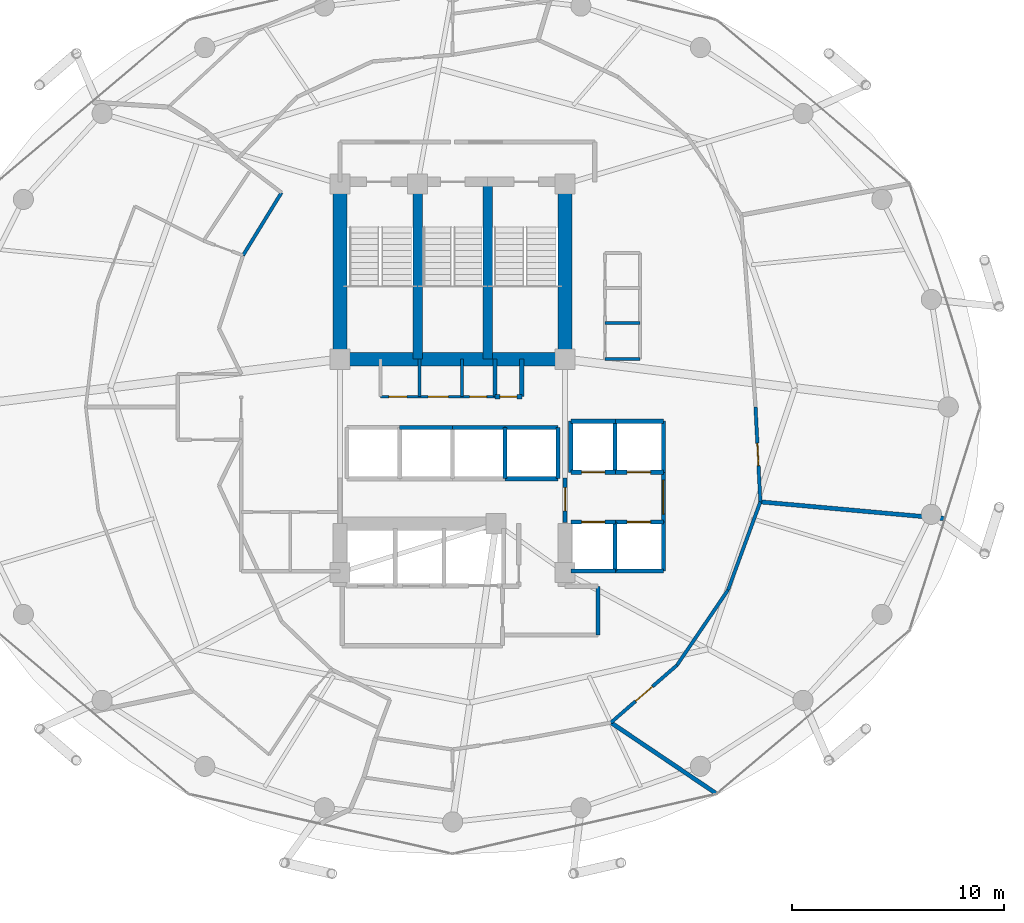
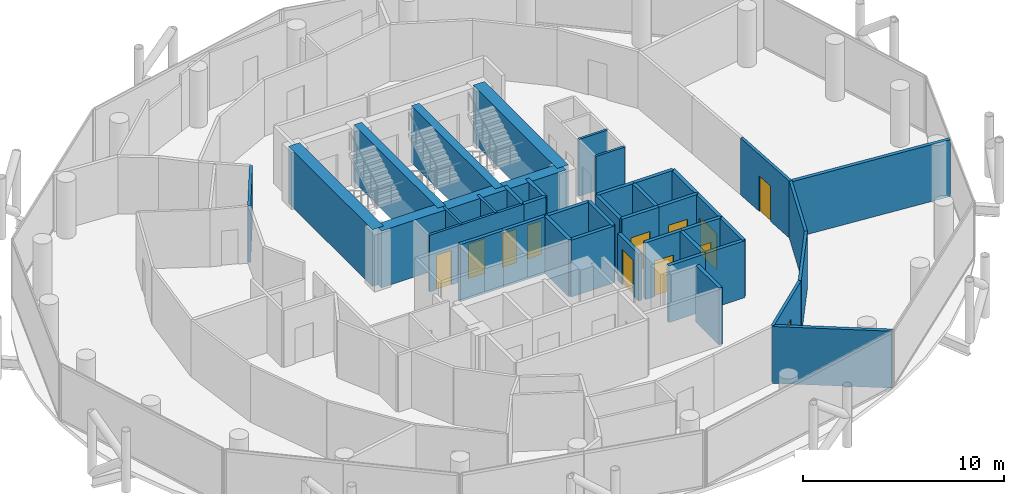
# One storey, part 23 of 26: 42 walls, 12 doors, 12 openings.
"""IFC4 building model written with IfcOpenShell, lengths in metres."""

from ifc_helpers import new_model, si_unit, direction, frame, frame_2d, origin, place, context, subcontext, project, spatial, rectangle, extrude, material, layer, layer_set, type_object, element, fill, save


model = new_model("IFC4")

# Units and contexts
model_context = context("Model", 3, precision=1e-05, world=origin(), true_north=direction((0.0, 1.0)))
body_context = subcontext(model_context, "Body", "Model", "MODEL_VIEW")
ifc_project = project(units=[si_unit("LENGTHUNIT", "METRE"), si_unit("AREAUNIT", "SQUARE_METRE"), si_unit("VOLUMEUNIT", "CUBIC_METRE"), si_unit("PLANEANGLEUNIT", "RADIAN"), si_unit("MASSUNIT", "GRAM", prefix="KILO")], contexts=[model_context])

# Site, building, storey
site_placement = place(None, origin())
site = spatial("IfcSite", under=ifc_project, at=site_placement, CompositionType="ELEMENT")
building_placement = place(site_placement, origin())
building = spatial("IfcBuilding", under=site, at=building_placement, Name="Nuhasar Tower", CompositionType="ELEMENT")
storey_placement = place(building_placement, frame((0.0, 0.0, 166.35009765625)))
storey = spatial("IfcBuildingStorey", under=building, at=storey_placement, Name="L40", CompositionType="ELEMENT", Elevation=166.35009765625)

# Walls
ifc_material_1 = material(Name="Concrete C50/60", Category="concrete")
ifc_layer_1 = layer(ifc_material_1, 0.449951171875)
ifc_layer_set_1 = layer_set([ifc_layer_1], Name="Concrete C50/60")
wall_type_1 = type_object("IfcWallType", Name="WL-CORE-450", PredefinedType="SHEAR", material=ifc_layer_set_1)
for number, where, z_axis, x_axis, name in (
    (1, (37.35009765625, 29.050048828125, 0.0), (0.0, 0.0, 1.0), (0.0, 1.0, 0.0), "L40 Stairwell Shear Wall ST01-E"),
    (2, (40.64990234375, 29.050048828125, 0.0), (0.0, 0.0, 1.0), (0.0, 1.0, 0.0), "L40 Stairwell Shear Wall ST03-E"),
):
    element("IfcWall", number, at=place(storey_placement, frame(where, z_axis=z_axis, x_axis=x_axis)), inside=storey, type_object=wall_type_1, Name=name, PredefinedType="SHEAR", context=body_context, shape_type="SweptSolid", body=[
        extrude(rectangle(XDim=8.349853515625, YDim=0.449951171875, at=frame_2d((4.1748046875, 0.0))), origin(), (0.0, 0.0, 1.0), 3.449951171875),
    ])
ifc_material_2 = material(Name="Concrete C65/80", Category="concrete")
ifc_layer_2 = layer(ifc_material_2, 0.64990234375)
ifc_layer_set_2 = layer_set([ifc_layer_2], Name="Concrete C65/80")
wall_type_2 = type_object("IfcWallType", Name="WL-CORE-650", PredefinedType="SHEAR", material=ifc_layer_set_2)
for number, where, z_axis, x_axis, name in (
    (3, (33.699951171875, 29.050048828125, 0.0), (0.0, 0.0, 1.0), (0.0, 1.0, 0.0), "L40 Core Shear Wall CW-NW CW-650"),
    (4, (44.300048828125, 29.050048828125, 0.0), (0.0, 0.0, 1.0), (0.0, 1.0, 0.0), "L40 Core Shear Wall CW-NE CW-650"),
):
    element("IfcWall", number, at=place(storey_placement, frame(where, z_axis=z_axis, x_axis=x_axis)), inside=storey, type_object=wall_type_2, Name=name, PredefinedType="SHEAR", context=body_context, shape_type="SweptSolid", body=[
        extrude(rectangle(XDim=8.349853515625, YDim=0.64990234375, at=frame_2d((4.1748046875, 0.0))), origin(), (0.0, 0.0, 1.0), 3.449951171875),
    ])
wall_1_placement = place(storey_placement, frame((33.699951171875, 29.050048828125, 0.0), z_axis=(0.0, 0.0, 1.0), x_axis=(1.0, 0.0, 0.0)))
element("IfcWall", 5, at=wall_1_placement, inside=storey, type_object=wall_type_2, Name="L40 Core Shear Wall CW-N1 CW-650", PredefinedType="SHEAR", context=body_context, shape_type="SweptSolid", body=[
    extrude(rectangle(XDim=10.60009765625, YDim=0.64990234375, at=frame_2d((5.300048828125, 0.0))), origin(), (0.0, 0.0, 1.0), 3.449951171875),
])

# Wall, opening, door
ifc_material_3 = material(Name="Gypsum Board", Category="gypsum")
ifc_layer_3 = layer(ifc_material_3, 0.159912109375)
ifc_layer_set_3 = layer_set([ifc_layer_3], Name="Gypsum Board")
wall_type_3 = type_object("IfcWallType", Name="WL-CORR-160", PredefinedType="PARTITIONING", material=ifc_layer_set_3)
wall_2_placement = place(storey_placement, frame((49.570068359375, 14.632080078125, 0.0), z_axis=(0.0, 0.0, 1.0), x_axis=(-0.754850245374, -0.6558971772, 0.0)))
wall_2 = element("IfcWall", 6, at=wall_2_placement, inside=storey, type_object=wall_type_3, Name="L40 Interior Partition CORR-40", PredefinedType="PARTITIONING", context=body_context, shape_type="SweptSolid", body=[
    extrude(rectangle(XDim=4.122802734375, YDim=0.159912109375, at=frame_2d((2.0615234375, 0.0))), origin(), (0.0, 0.0, 1.0), 3.449951171875),
])
opening_1_placement = place(wall_2_placement, frame((1.535888671875, 0.0, 0.0)))
opening_1 = element("IfcOpeningElement", 7, at=opening_1_placement, cuts=wall_2, Name="Opening DU-01", PredefinedType="OPENING", context=body_context, shape_type="SweptSolid", body=[
    extrude(rectangle(XDim=1.050048828125, YDim=2.14990234375, at=frame_2d((0.52490234375, 1.074951171875))), frame((0.0, 0.08984375, 0.0), z_axis=(0.0, -1.0, 0.0), x_axis=(1.0, 0.0, 0.0)), (0.0, 0.0, 1.0), 0.179931640625),
])
ifc_material_4 = material(Name="Timber Oak", Category="wood")
door_type_1 = type_object("IfcDoorType", Name="DR-SUITE-FD60-1050", OperationType="NOTDEFINED", PredefinedType="DOOR", material=ifc_material_4)
door_1_placement = place(opening_1_placement, origin())
door_1 = element("IfcDoor", 8, at=door_1_placement, inside=storey, type_object=door_type_1, Name="L40 Embassy Secretariat Office Entrance Door", OperationType="SINGLE_SWING_LEFT", OverallHeight=2.14990234375, OverallWidth=1.050048828125, PredefinedType="DOOR", context=body_context, shape_type="SweptSolid", body=[
    extrude(rectangle(XDim=1.050048828125, YDim=2.14990234375, at=frame_2d((0.52490234375, 1.074951171875))), frame((0.0, 0.02490234375, 0.0), z_axis=(0.0, -1.0, 0.0), x_axis=(1.0, 0.0, 0.0)), (0.0, 0.0, 1.0), 0.050048828125),
])
fill(opening_1, door_1)

# Walls
wall_3_placement = place(storey_placement, frame((49.570068359375, 14.632080078125, 0.0), z_axis=(0.0, 0.0, 1.0), x_axis=(0.561534872814, 0.827453072152, 0.0)))
element("IfcWall", 9, at=wall_3_placement, inside=storey, type_object=wall_type_3, Name="L40 Interior Partition CORR-42", PredefinedType="PARTITIONING", context=body_context, shape_type="SweptSolid", body=[
    extrude(rectangle(XDim=4.282958984375, YDim=0.159912109375, at=frame_2d((2.1416015625, 0.0))), origin(), (0.0, 0.0, 1.0), 3.449951171875),
])
wall_4_placement = place(storey_placement, frame((51.97509765625, 18.176025390625, 0.0), z_axis=(0.0, 0.0, 1.0), x_axis=(0.344374682777, 0.938832294855, 0.0)))
element("IfcWall", 10, at=wall_4_placement, inside=storey, type_object=wall_type_3, Name="L40 Interior Partition CORR-44", PredefinedType="PARTITIONING", context=body_context, shape_type="SweptSolid", body=[
    extrude(rectangle(XDim=4.42236328125, YDim=0.159912109375, at=frame_2d((2.211181640625, 0.0))), origin(), (0.0, 0.0, 1.0), 3.449951171875),
])

# Wall, opening, door
wall_5_placement = place(storey_placement, frame((53.27001953125, 26.800048828125, 0.0), z_axis=(0.0, 0.0, 1.0), x_axis=(0.050921949012, -0.998702635978, 0.0)))
wall_5 = element("IfcWall", 11, at=wall_5_placement, inside=storey, type_object=wall_type_3, Name="L40 Interior Partition CORR-46", PredefinedType="PARTITIONING", context=body_context, shape_type="SweptSolid", body=[
    extrude(rectangle(XDim=4.47802734375, YDim=0.159912109375, at=frame_2d((2.239013671875, 0.0))), origin(), (0.0, 0.0, 1.0), 3.449951171875),
])
opening_2_placement = place(wall_5_placement, frame((1.714111328125, 0.0, 0.0)))
opening_2 = element("IfcOpeningElement", 12, at=opening_2_placement, cuts=wall_5, Name="Opening DU-01", PredefinedType="OPENING", context=body_context, shape_type="SweptSolid", body=[
    extrude(rectangle(XDim=1.050048828125, YDim=2.14990234375, at=frame_2d((0.52490234375, 1.074951171875))), frame((0.0, 0.08984375, 0.0), z_axis=(0.0, -1.0, 0.0), x_axis=(1.0, 0.0, 0.0)), (0.0, 0.0, 1.0), 0.179931640625),
])
door_2_placement = place(opening_2_placement, origin())
door_2 = element("IfcDoor", 13, at=door_2_placement, inside=storey, type_object=door_type_1, Name="L40 Private Screening Cinema Entrance Door", OperationType="SINGLE_SWING_RIGHT", OverallHeight=2.14990234375, OverallWidth=1.050048828125, PredefinedType="DOOR", context=body_context, shape_type="SweptSolid", body=[
    extrude(rectangle(XDim=1.050048828125, YDim=2.14990234375, at=frame_2d((0.52490234375, 1.074951171875))), frame((0.0, 0.02490234375, 0.0), z_axis=(0.0, -1.0, 0.0), x_axis=(1.0, 0.0, 0.0)), (0.0, 0.0, 1.0), 0.050048828125),
])
fill(opening_2, door_2)

# Wall
wall_6_placement = place(storey_placement, frame((30.93896484375, 36.89697265625, 0.0), z_axis=(0.0, 0.0, 1.0), x_axis=(-0.522486120877, -0.852647789823, 0.0)))
element("IfcWall", 14, at=wall_6_placement, inside=storey, type_object=wall_type_3, Name="L40 Interior Partition HWEST-CORE-N-18", PredefinedType="PARTITIONING", context=body_context, shape_type="SweptSolid", body=[
    extrude(rectangle(XDim=3.468017578125, YDim=0.159912109375, at=frame_2d((1.73388671875, 0.0))), origin(), (0.0, 0.0, 1.0), 3.449951171875),
])

# Wall, opening, door
ifc_material_5 = material(Name="Concrete C45/55", Category="concrete")
ifc_layer_4 = layer(ifc_material_5, 0.199951171875)
ifc_layer_set_4 = layer_set([ifc_layer_4], Name="Concrete C45/55")
wall_type_4 = type_object("IfcWallType", Name="WL-LOBBY-200", PredefinedType="SOLIDWALL", material=ifc_layer_set_4)
wall_7_placement = place(storey_placement, frame((48.929931640625, 21.3798828125, 0.0), z_axis=(0.0, 0.0, 1.0), x_axis=(0.0, 1.0, 0.0)))
wall_7 = element("IfcWall", 15, at=wall_7_placement, inside=storey, type_object=wall_type_4, Name="L40 Interior Partition LLBM-E", PredefinedType="SOLIDWALL", context=body_context, shape_type="SweptSolid", body=[
    extrude(rectangle(XDim=2.340087890625, YDim=0.199951171875, at=frame_2d((1.169921875, 0.0))), origin(), (0.0, 0.0, 1.0), 3.449951171875),
])
opening_3_placement = place(wall_7_placement, frame((0.3701171875, 0.0, 0.0)))
opening_3 = element("IfcOpeningElement", 16, at=opening_3_placement, cuts=wall_7, Name="Opening DC-01", PredefinedType="OPENING", context=body_context, shape_type="SweptSolid", body=[
    extrude(rectangle(XDim=1.60009765625, YDim=2.199951171875, at=frame_2d((0.800048828125, 1.10009765625))), frame((0.0, 0.10986328125, 0.0), z_axis=(0.0, -1.0, 0.0), x_axis=(1.0, 0.0, 0.0)), (0.0, 0.0, 1.0), 0.219970703125),
])
ifc_material_6 = material(Name="Steel S355", Category="steel")
door_type_2 = type_object("IfcDoorType", Name="DR-CORR-FD60-1600", OperationType="DOUBLE_DOOR_SINGLE_SWING", PredefinedType="DOOR", material=ifc_material_6)
door_3_placement = place(opening_3_placement, origin())
door_3 = element("IfcDoor", 17, at=door_3_placement, inside=storey, type_object=door_type_2, Name="L40 Mid-Rise Lift Lobby East Entry", OperationType="DOUBLE_DOOR_SINGLE_SWING", OverallHeight=2.199951171875, OverallWidth=1.60009765625, PredefinedType="DOOR", context=body_context, shape_type="SweptSolid", body=[
    extrude(rectangle(XDim=1.60009765625, YDim=2.199951171875, at=frame_2d((0.800048828125, 1.10009765625))), frame((0.0, 0.02490234375, 0.0), z_axis=(0.0, -1.0, 0.0), x_axis=(1.0, 0.0, 0.0)), (0.0, 0.0, 1.0), 0.050048828125),
])
fill(opening_3, door_3)

wall_8_placement = place(storey_placement, frame((44.300048828125, 21.35009765625, 0.0), z_axis=(0.0, 0.0, 1.0), x_axis=(0.0, 1.0, 0.0)))
wall_8 = element("IfcWall", 18, at=wall_8_placement, inside=storey, type_object=wall_type_4, Name="L40 Interior Partition LLBH-E", PredefinedType="SOLIDWALL", context=body_context, shape_type="SweptSolid", body=[
    extrude(rectangle(XDim=2.099853515625, YDim=0.199951171875, at=frame_2d((1.0498046875, 0.0))), origin(), (0.0, 0.0, 1.0), 2.8349609375),
])
opening_4_placement = place(wall_8_placement, frame((0.550048828125, 0.0, 0.0)))
opening_4 = element("IfcOpeningElement", 19, at=opening_4_placement, cuts=wall_8, Name="Opening DS-02", PredefinedType="OPENING", context=body_context, shape_type="SweptSolid", body=[
    extrude(rectangle(XDim=1.10009765625, YDim=2.14990234375, at=frame_2d((0.550048828125, 1.074951171875))), frame((0.0, 0.10986328125, 0.0), z_axis=(0.0, -1.0, 0.0), x_axis=(1.0, 0.0, 0.0)), (0.0, 0.0, 1.0), 0.219970703125),
])
door_type_3 = type_object("IfcDoorType", Name="DR-FFL-FD120-1100", OperationType="NOTDEFINED", PredefinedType="DOOR", material=ifc_material_6)
door_4_placement = place(opening_4_placement, origin())
door_4 = element("IfcDoor", 20, at=door_4_placement, inside=storey, type_object=door_type_3, Name="L40 High-Rise Lobby East Door", OperationType="SINGLE_SWING_RIGHT", OverallHeight=2.14990234375, OverallWidth=1.10009765625, PredefinedType="DOOR", context=body_context, shape_type="SweptSolid", body=[
    extrude(rectangle(XDim=1.10009765625, YDim=2.14990234375, at=frame_2d((0.550048828125, 1.074951171875))), frame((0.0, 0.02490234375, 0.0), z_axis=(0.0, -1.0, 0.0), x_axis=(1.0, 0.0, 0.0)), (0.0, 0.0, 1.0), 0.050048828125),
])
fill(opening_4, door_4)

# Walls
wall_9_placement = place(storey_placement, frame((45.85009765625, 16.050048828125, 0.0), z_axis=(0.0, 0.0, 1.0), x_axis=(0.0, 1.0, 0.0)))
element("IfcWall", 21, at=wall_9_placement, inside=storey, type_object=wall_type_4, Name="L40 Interior Partition SVLV-E", PredefinedType="SOLIDWALL", context=body_context, shape_type="SweptSolid", body=[
    extrude(rectangle(XDim=2.300048828125, YDim=0.199951171875, at=frame_2d((1.14990234375, 0.0))), origin(), (0.0, 0.0, 1.0), 3.449951171875),
])
ifc_layer_5 = layer(ifc_material_5, 0.199951171875)
ifc_layer_set_5 = layer_set([ifc_layer_5], Name="Concrete C45/55")
wall_type_5 = type_object("IfcWallType", Name="WL-SHAFT-200", PredefinedType="SOLIDWALL", material=ifc_layer_set_5)
for number, where, z_axis, x_axis, name in (
    (22, (41.0, 27.280029296875, 0.0), (0.0, 0.0, 1.0), (0.0, 1.0, 0.0), "L40 Interior Partition RSRN-W"),
    (23, (42.260009765625, 27.280029296875, 0.0), (0.0, 0.0, 1.0), (0.0, 1.0, 0.0), "L40 Interior Partition RSRN-E"),
):
    element("IfcWall", number, at=place(storey_placement, frame(where, z_axis=z_axis, x_axis=x_axis)), inside=storey, type_object=wall_type_5, Name=name, PredefinedType="SOLIDWALL", context=body_context, shape_type="SweptSolid", body=[
        extrude(rectangle(XDim=1.77001953125, YDim=0.199951171875, at=frame_2d((0.885009765625, 0.0))), origin(), (0.0, 0.0, 1.0), 3.449951171875),
    ])

# Wall, opening, door
wall_10_placement = place(storey_placement, frame((41.0, 27.280029296875, 0.0), z_axis=(0.0, 0.0, 1.0), x_axis=(1.0, 0.0, 0.0)))
wall_10 = element("IfcWall", 24, at=wall_10_placement, inside=storey, type_object=wall_type_5, Name="L40 Interior Partition RSRN-S", PredefinedType="SOLIDWALL", context=body_context, shape_type="SweptSolid", body=[
    extrude(rectangle(XDim=1.260009765625, YDim=0.199951171875, at=frame_2d((0.6298828125, 0.0))), origin(), (0.0, 0.0, 1.0), 3.449951171875),
])
opening_5_placement = place(wall_10_placement, frame((0.22998046875, 0.0, 0.0)))
opening_5 = element("IfcOpeningElement", 25, at=opening_5_placement, cuts=wall_10, Name="Opening DM-01", PredefinedType="OPENING", context=body_context, shape_type="SweptSolid", body=[
    extrude(rectangle(XDim=0.800048828125, YDim=2.050048828125, at=frame_2d((0.39990234375, 1.02490234375))), frame((0.0, 0.10986328125, 0.0), z_axis=(0.0, -1.0, 0.0), x_axis=(1.0, 0.0, 0.0)), (0.0, 0.0, 1.0), 0.219970703125),
])
door_type_4 = type_object("IfcDoorType", Name="DR-RISER-FD60-800", OperationType="NOTDEFINED", PredefinedType="DOOR", material=ifc_material_6)
door_5_placement = place(opening_5_placement, origin())
door_5 = element("IfcDoor", 26, at=door_5_placement, inside=storey, type_object=door_type_4, Name="L40 North Smoke Riser Door", OperationType="SINGLE_SWING_RIGHT", OverallHeight=2.050048828125, OverallWidth=0.800048828125, PredefinedType="DOOR", context=body_context, shape_type="SweptSolid", body=[
    extrude(rectangle(XDim=0.800048828125, YDim=2.050048828125, at=frame_2d((0.39990234375, 1.02490234375))), frame((0.0, 0.02490234375, 0.0), z_axis=(0.0, -1.0, 0.0), x_axis=(1.0, 0.0, 0.0)), (0.0, 0.0, 1.0), 0.050048828125),
])
fill(opening_5, door_5)

wall_11_placement = place(storey_placement, frame((44.570068359375, 23.719970703125, 0.0), z_axis=(0.0, 0.0, 1.0), x_axis=(1.0, 0.0, 0.0)))
wall_11 = element("IfcWall", 27, at=wall_11_placement, inside=storey, type_object=wall_type_5, Name="L40 Interior Partition SHF-PL-M01-S", PredefinedType="SOLIDWALL", context=body_context, shape_type="SweptSolid", body=[
    extrude(rectangle(XDim=2.10986328125, YDim=0.199951171875, at=frame_2d((1.054931640625, 0.0))), origin(), (0.0, 0.0, 1.0), 3.449951171875),
])
opening_6_placement = place(wall_11_placement, frame((0.5048828125, 0.0, 0.0)))
opening_6 = element("IfcOpeningElement", 28, at=opening_6_placement, cuts=wall_11, Name="Opening LD-M01", PredefinedType="OPENING", context=body_context, shape_type="SweptSolid", body=[
    extrude(rectangle(XDim=1.10009765625, YDim=2.14990234375, at=frame_2d((0.550048828125, 1.074951171875))), frame((0.0, 0.10986328125, 0.0), z_axis=(0.0, -1.0, 0.0), x_axis=(1.0, 0.0, 0.0)), (0.0, 0.0, 1.0), 0.219970703125),
])
ifc_material_7 = material(Name="Stainless Steel 316L", Category="steel")
door_type_5 = type_object("IfcDoorType", Name="LD-PAX-1100", OperationType="DOUBLE_DOOR_SLIDING", PredefinedType="DOOR", material=ifc_material_7)
door_6_placement = place(opening_6_placement, origin())
door_6 = element("IfcDoor", 29, at=door_6_placement, inside=storey, type_object=door_type_5, Name="L40 Lift Landing Door PL-M01", OperationType="DOUBLE_DOOR_SLIDING", OverallHeight=2.14990234375, OverallWidth=1.10009765625, PredefinedType="DOOR", context=body_context, shape_type="SweptSolid", body=[
    extrude(rectangle(XDim=1.10009765625, YDim=2.14990234375, at=frame_2d((0.550048828125, 1.074951171875))), frame((0.0, 0.02490234375, 0.0), z_axis=(0.0, -1.0, 0.0), x_axis=(1.0, 0.0, 0.0)), (0.0, 0.0, 1.0), 0.050048828125),
])
fill(opening_6, door_6)

# Walls
wall_12_placement = place(storey_placement, frame((44.570068359375, 26.1298828125, 0.0), z_axis=(0.0, 0.0, 1.0), x_axis=(1.0, 0.0, 0.0)))
element("IfcWall", 30, at=wall_12_placement, inside=storey, type_object=wall_type_5, Name="L40 Interior Partition SHF-PL-M01-N", PredefinedType="SOLIDWALL", context=body_context, shape_type="SweptSolid", body=[
    extrude(rectangle(XDim=2.10986328125, YDim=0.199951171875, at=frame_2d((1.054931640625, 0.0))), origin(), (0.0, 0.0, 1.0), 3.449951171875),
])
for number, where, z_axis, x_axis, name in (
    (31, (44.570068359375, 23.719970703125, 0.0), (0.0, 0.0, 1.0), (0.0, 1.0, 0.0), "L40 Interior Partition SHF-PL-M01-W"),
    (32, (46.64990234375, 23.719970703125, 0.0), (0.0, 0.0, 1.0), (0.0, 1.0, 0.0), "L40 Interior Partition SHF-PL-M01-E"),
):
    element("IfcWall", number, at=place(storey_placement, frame(where, z_axis=z_axis, x_axis=x_axis)), inside=storey, type_object=wall_type_5, Name=name, PredefinedType="SOLIDWALL", context=body_context, shape_type="SweptSolid", body=[
        extrude(rectangle(XDim=2.409912109375, YDim=0.199951171875, at=frame_2d((1.205078125, 0.0))), origin(), (0.0, 0.0, 1.0), 3.449951171875),
    ])

# Wall, opening, door
wall_13_placement = place(storey_placement, frame((46.6201171875, 23.719970703125, 0.0), z_axis=(0.0, 0.0, 1.0), x_axis=(1.0, 0.0, 0.0)))
wall_13 = element("IfcWall", 33, at=wall_13_placement, inside=storey, type_object=wall_type_5, Name="L40 Interior Partition SHF-PL-M02-S", PredefinedType="SOLIDWALL", context=body_context, shape_type="SweptSolid", body=[
    extrude(rectangle(XDim=2.309814453125, YDim=0.199951171875, at=frame_2d((1.15478515625, 0.0))), origin(), (0.0, 0.0, 1.0), 3.449951171875),
])
opening_7_placement = place(wall_13_placement, frame((0.60498046875, 0.0, 0.0)))
opening_7 = element("IfcOpeningElement", 34, at=opening_7_placement, cuts=wall_13, Name="Opening LD-M02", PredefinedType="OPENING", context=body_context, shape_type="SweptSolid", body=[
    extrude(rectangle(XDim=1.10009765625, YDim=2.14990234375, at=frame_2d((0.550048828125, 1.074951171875))), frame((0.0, 0.10986328125, 0.0), z_axis=(0.0, -1.0, 0.0), x_axis=(1.0, 0.0, 0.0)), (0.0, 0.0, 1.0), 0.219970703125),
])
door_7_placement = place(opening_7_placement, origin())
door_7 = element("IfcDoor", 35, at=door_7_placement, inside=storey, type_object=door_type_5, Name="L40 Lift Landing Door PL-M02", OperationType="DOUBLE_DOOR_SLIDING", OverallHeight=2.14990234375, OverallWidth=1.10009765625, PredefinedType="DOOR", context=body_context, shape_type="SweptSolid", body=[
    extrude(rectangle(XDim=1.10009765625, YDim=2.14990234375, at=frame_2d((0.550048828125, 1.074951171875))), frame((0.0, 0.02490234375, 0.0), z_axis=(0.0, -1.0, 0.0), x_axis=(1.0, 0.0, 0.0)), (0.0, 0.0, 1.0), 0.050048828125),
])
fill(opening_7, door_7)

# Walls
wall_14_placement = place(storey_placement, frame((46.6201171875, 26.1298828125, 0.0), z_axis=(0.0, 0.0, 1.0), x_axis=(1.0, 0.0, 0.0)))
element("IfcWall", 36, at=wall_14_placement, inside=storey, type_object=wall_type_5, Name="L40 Interior Partition SHF-PL-M02-N", PredefinedType="SOLIDWALL", context=body_context, shape_type="SweptSolid", body=[
    extrude(rectangle(XDim=2.309814453125, YDim=0.199951171875, at=frame_2d((1.15478515625, 0.0))), origin(), (0.0, 0.0, 1.0), 3.449951171875),
])
wall_15_placement = place(storey_placement, frame((48.929931640625, 23.719970703125, 0.0), z_axis=(0.0, 0.0, 1.0), x_axis=(0.0, 1.0, 0.0)))
element("IfcWall", 37, at=wall_15_placement, inside=storey, type_object=wall_type_5, Name="L40 Interior Partition SHF-PL-M02-E", PredefinedType="SOLIDWALL", context=body_context, shape_type="SweptSolid", body=[
    extrude(rectangle(XDim=2.409912109375, YDim=0.199951171875, at=frame_2d((1.205078125, 0.0))), origin(), (0.0, 0.0, 1.0), 3.449951171875),
])
wall_16_placement = place(storey_placement, frame((44.570068359375, 19.070068359375, 0.0), z_axis=(0.0, 0.0, 1.0), x_axis=(1.0, 0.0, 0.0)))
element("IfcWall", 38, at=wall_16_placement, inside=storey, type_object=wall_type_5, Name="L40 Interior Partition SHF-PL-M03-S", PredefinedType="SOLIDWALL", context=body_context, shape_type="SweptSolid", body=[
    extrude(rectangle(XDim=2.10986328125, YDim=0.199951171875, at=frame_2d((1.054931640625, 0.0))), origin(), (0.0, 0.0, 1.0), 3.449951171875),
])

# Wall, opening, door
wall_17_placement = place(storey_placement, frame((44.570068359375, 21.3798828125, 0.0), z_axis=(0.0, 0.0, 1.0), x_axis=(1.0, 0.0, 0.0)))
wall_17 = element("IfcWall", 39, at=wall_17_placement, inside=storey, type_object=wall_type_5, Name="L40 Interior Partition SHF-PL-M03-N", PredefinedType="SOLIDWALL", context=body_context, shape_type="SweptSolid", body=[
    extrude(rectangle(XDim=2.10986328125, YDim=0.199951171875, at=frame_2d((1.054931640625, 0.0))), origin(), (0.0, 0.0, 1.0), 3.449951171875),
])
opening_8_placement = place(wall_17_placement, frame((0.5048828125, 0.0, 0.0)))
opening_8 = element("IfcOpeningElement", 40, at=opening_8_placement, cuts=wall_17, Name="Opening LD-M03", PredefinedType="OPENING", context=body_context, shape_type="SweptSolid", body=[
    extrude(rectangle(XDim=1.10009765625, YDim=2.14990234375, at=frame_2d((0.550048828125, 1.074951171875))), frame((0.0, 0.10986328125, 0.0), z_axis=(0.0, -1.0, 0.0), x_axis=(1.0, 0.0, 0.0)), (0.0, 0.0, 1.0), 0.219970703125),
])
door_8_placement = place(opening_8_placement, origin())
door_8 = element("IfcDoor", 41, at=door_8_placement, inside=storey, type_object=door_type_5, Name="L40 Lift Landing Door PL-M03", OperationType="DOUBLE_DOOR_SLIDING", OverallHeight=2.14990234375, OverallWidth=1.10009765625, PredefinedType="DOOR", context=body_context, shape_type="SweptSolid", body=[
    extrude(rectangle(XDim=1.10009765625, YDim=2.14990234375, at=frame_2d((0.550048828125, 1.074951171875))), frame((0.0, 0.02490234375, 0.0), z_axis=(0.0, -1.0, 0.0), x_axis=(1.0, 0.0, 0.0)), (0.0, 0.0, 1.0), 0.050048828125),
])
fill(opening_8, door_8)

# Walls
for number, where, z_axis, x_axis, name in (
    (42, (46.64990234375, 19.070068359375, 0.0), (0.0, 0.0, 1.0), (0.0, 1.0, 0.0), "L40 Interior Partition SHF-PL-M03-E"),
    (43, (46.6201171875, 19.070068359375, 0.0), (0.0, 0.0, 1.0), (1.0, 0.0, 0.0), "L40 Interior Partition SHF-PL-M04-S"),
):
    element("IfcWall", number, at=place(storey_placement, frame(where, z_axis=z_axis, x_axis=x_axis)), inside=storey, type_object=wall_type_5, Name=name, PredefinedType="SOLIDWALL", context=body_context, shape_type="SweptSolid", body=[
        extrude(rectangle(XDim=2.309814453125, YDim=0.199951171875, at=frame_2d((1.15478515625, 0.0))), origin(), (0.0, 0.0, 1.0), 3.449951171875),
    ])

# Wall, opening, door
wall_18_placement = place(storey_placement, frame((46.6201171875, 21.3798828125, 0.0), z_axis=(0.0, 0.0, 1.0), x_axis=(1.0, 0.0, 0.0)))
wall_18 = element("IfcWall", 44, at=wall_18_placement, inside=storey, type_object=wall_type_5, Name="L40 Interior Partition SHF-PL-M04-N", PredefinedType="SOLIDWALL", context=body_context, shape_type="SweptSolid", body=[
    extrude(rectangle(XDim=2.309814453125, YDim=0.199951171875, at=frame_2d((1.15478515625, 0.0))), origin(), (0.0, 0.0, 1.0), 3.449951171875),
])
opening_9_placement = place(wall_18_placement, frame((0.60498046875, 0.0, 0.0)))
opening_9 = element("IfcOpeningElement", 45, at=opening_9_placement, cuts=wall_18, Name="Opening LD-M04", PredefinedType="OPENING", context=body_context, shape_type="SweptSolid", body=[
    extrude(rectangle(XDim=1.10009765625, YDim=2.14990234375, at=frame_2d((0.550048828125, 1.074951171875))), frame((0.0, 0.10986328125, 0.0), z_axis=(0.0, -1.0, 0.0), x_axis=(1.0, 0.0, 0.0)), (0.0, 0.0, 1.0), 0.219970703125),
])
door_9_placement = place(opening_9_placement, origin())
door_9 = element("IfcDoor", 46, at=door_9_placement, inside=storey, type_object=door_type_5, Name="L40 Lift Landing Door PL-M04", OperationType="DOUBLE_DOOR_SLIDING", OverallHeight=2.14990234375, OverallWidth=1.10009765625, PredefinedType="DOOR", context=body_context, shape_type="SweptSolid", body=[
    extrude(rectangle(XDim=1.10009765625, YDim=2.14990234375, at=frame_2d((0.550048828125, 1.074951171875))), frame((0.0, 0.02490234375, 0.0), z_axis=(0.0, -1.0, 0.0), x_axis=(1.0, 0.0, 0.0)), (0.0, 0.0, 1.0), 0.050048828125),
])
fill(opening_9, door_9)

# Walls
wall_19_placement = place(storey_placement, frame((48.929931640625, 19.070068359375, 0.0), z_axis=(0.0, 0.0, 1.0), x_axis=(0.0, 1.0, 0.0)))
element("IfcWall", 47, at=wall_19_placement, inside=storey, type_object=wall_type_5, Name="L40 Interior Partition SHF-PL-M04-E", PredefinedType="SOLIDWALL", context=body_context, shape_type="SweptSolid", body=[
    extrude(rectangle(XDim=2.309814453125, YDim=0.199951171875, at=frame_2d((1.15478515625, 0.0))), origin(), (0.0, 0.0, 1.0), 3.449951171875),
])
for number, where, z_axis, x_axis, name in (
    (48, (36.5, 25.830078125, 0.0), (0.0, 0.0, 1.0), (1.0, 0.0, 0.0), "L40 Interior Partition SHF-PL-H02-N"),
    (49, (38.97998046875, 25.830078125, 0.0), (0.0, 0.0, 1.0), (1.0, 0.0, 0.0), "L40 Interior Partition SHF-PL-H03-N"),
):
    element("IfcWall", number, at=place(storey_placement, frame(where, z_axis=z_axis, x_axis=x_axis)), inside=storey, type_object=wall_type_5, Name=name, PredefinedType="SOLIDWALL", context=body_context, shape_type="SweptSolid", body=[
        extrude(rectangle(XDim=2.5, YDim=0.199951171875, at=frame_2d((1.25, 0.0))), origin(), (0.0, 0.0, 1.0), 3.449951171875),
    ])
wall_20_placement = place(storey_placement, frame((41.469970703125, 23.419921875, 0.0), z_axis=(0.0, 0.0, 1.0), x_axis=(0.0, 1.0, 0.0)))
element("IfcWall", 50, at=wall_20_placement, inside=storey, type_object=wall_type_5, Name="L40 Interior Partition SHF-PL-H03-E", PredefinedType="SOLIDWALL", context=body_context, shape_type="SweptSolid", body=[
    extrude(rectangle(XDim=2.41015625, YDim=0.199951171875, at=frame_2d((1.205078125, 0.0))), origin(), (0.0, 0.0, 1.0), 3.449951171875),
])
for number, where, z_axis, x_axis, name in (
    (51, (41.4599609375, 23.419921875, 0.0), (0.0, 0.0, 1.0), (1.0, 0.0, 0.0), "L40 Interior Partition SHF-PL-H04-S"),
    (52, (41.4599609375, 25.830078125, 0.0), (0.0, 0.0, 1.0), (1.0, 0.0, 0.0), "L40 Interior Partition SHF-PL-H04-N"),
):
    element("IfcWall", number, at=place(storey_placement, frame(where, z_axis=z_axis, x_axis=x_axis)), inside=storey, type_object=wall_type_5, Name=name, PredefinedType="SOLIDWALL", context=body_context, shape_type="SweptSolid", body=[
        extrude(rectangle(XDim=2.5, YDim=0.199951171875, at=frame_2d((1.25, 0.0))), origin(), (0.0, 0.0, 1.0), 3.449951171875),
    ])
wall_21_placement = place(storey_placement, frame((43.9599609375, 23.419921875, 0.0), z_axis=(0.0, 0.0, 1.0), x_axis=(0.0, 1.0, 0.0)))
element("IfcWall", 53, at=wall_21_placement, inside=storey, type_object=wall_type_5, Name="L40 Interior Partition SHF-PL-H04-E", PredefinedType="SOLIDWALL", context=body_context, shape_type="SweptSolid", body=[
    extrude(rectangle(XDim=2.41015625, YDim=0.199951171875, at=frame_2d((1.205078125, 0.0))), origin(), (0.0, 0.0, 1.0), 3.449951171875),
])
ifc_material_8 = material(Name="Concrete C40/50 precast", Category="concrete")
ifc_layer_6 = layer(ifc_material_8, 0.199951171875)
ifc_layer_set_6 = layer_set([ifc_layer_6], Name="Concrete C40/50 precast")
wall_type_6 = type_object("IfcWallType", Name="WL-UNIT-200", PredefinedType="PARTITIONING", material=ifc_layer_set_6)
wall_22_placement = place(storey_placement, frame((46.4580078125, 11.927978515625, 0.0), z_axis=(0.0, 0.0, 1.0), x_axis=(0.829526575928, -0.5584672415, 0.0)))
element("IfcWall", 54, at=wall_22_placement, inside=storey, type_object=wall_type_6, Name="L40 Interior Partition HRAD-40", PredefinedType="PARTITIONING", context=body_context, shape_type="SweptSolid", body=[
    extrude(rectangle(XDim=5.973388671875, YDim=0.199951171875, at=frame_2d((2.98681640625, 0.0))), origin(), (0.0, 0.0, 1.0), 3.449951171875),
])
wall_23_placement = place(storey_placement, frame((53.498046875, 22.327880859375, 0.0), z_axis=(0.0, 0.0, 1.0), x_axis=(0.99593153215, -0.090113169233, 0.0)))
element("IfcWall", 55, at=wall_23_placement, inside=storey, type_object=wall_type_6, Name="L40 Interior Partition HRAD-46", PredefinedType="PARTITIONING", context=body_context, shape_type="SweptSolid", body=[
    extrude(rectangle(XDim=8.699462890625, YDim=0.199951171875, at=frame_2d((4.349609375, 0.0))), origin(), (0.0, 0.0, 1.0), 3.449951171875),
])

# Wall, openings, doors
ifc_layer_7 = layer(ifc_material_8, 0.139892578125)
ifc_layer_set_7 = layer_set([ifc_layer_7], Name="Concrete C40/50 precast")
wall_type_7 = type_object("IfcWallType", Name="WL-WET-140", PredefinedType="PARTITIONING", material=ifc_layer_set_7)
wall_24_placement = place(storey_placement, frame((35.60009765625, 27.280029296875, 0.0), z_axis=(0.0, 0.0, 1.0), x_axis=(1.0, 0.0, 0.0)))
wall_24 = element("IfcWall", 56, at=wall_24_placement, inside=storey, type_object=wall_type_7, Name="L40 Interior Partition CSVC-S", PredefinedType="PARTITIONING", context=body_context, shape_type="SweptSolid", body=[
    extrude(rectangle(XDim=5.39990234375, YDim=0.139892578125, at=frame_2d((2.699951171875, 0.0))), origin(), (0.0, 0.0, 1.0), 3.449951171875),
])
opening_10_placement = place(wall_24_placement, frame((0.39990234375, 0.0, 0.0)))
opening_10 = element("IfcOpeningElement", 57, at=opening_10_placement, cuts=wall_24, Name="Opening DB-01", PredefinedType="OPENING", context=body_context, shape_type="SweptSolid", body=[
    extrude(rectangle(XDim=0.85009765625, YDim=2.10009765625, at=frame_2d((0.425048828125, 1.050048828125))), frame((0.0, 0.080078125, 0.0), z_axis=(0.0, -1.0, 0.0), x_axis=(1.0, 0.0, 0.0)), (0.0, 0.0, 1.0), 0.159912109375),
])
opening_11_placement = place(wall_24_placement, frame((2.25, 0.0, 0.0)))
opening_11 = element("IfcOpeningElement", 58, at=opening_11_placement, cuts=wall_24, Name="Opening DA-01", PredefinedType="OPENING", context=body_context, shape_type="SweptSolid", body=[
    extrude(rectangle(XDim=0.949951171875, YDim=2.10009765625, at=frame_2d((0.47509765625, 1.050048828125))), frame((0.0, 0.080078125, 0.0), z_axis=(0.0, -1.0, 0.0), x_axis=(1.0, 0.0, 0.0)), (0.0, 0.0, 1.0), 0.159912109375),
])
opening_12_placement = place(wall_24_placement, frame((4.199951171875, 0.0, 0.0)))
opening_12 = element("IfcOpeningElement", 59, at=opening_12_placement, cuts=wall_24, Name="Opening DM-01", PredefinedType="OPENING", context=body_context, shape_type="SweptSolid", body=[
    extrude(rectangle(XDim=0.800048828125, YDim=2.050048828125, at=frame_2d((0.39990234375, 1.02490234375))), frame((0.0, 0.080078125, 0.0), z_axis=(0.0, -1.0, 0.0), x_axis=(1.0, 0.0, 0.0)), (0.0, 0.0, 1.0), 0.159912109375),
])
door_type_6 = type_object("IfcDoorType", Name="DR-ACCWC-950", OperationType="NOTDEFINED", PredefinedType="DOOR", material=ifc_material_4)
door_10_placement = place(opening_11_placement, origin())
door_10 = element("IfcDoor", 60, at=door_10_placement, inside=storey, type_object=door_type_6, Name="L40 Core Accessible WC Door", OperationType="SINGLE_SWING_RIGHT", OverallHeight=2.10009765625, OverallWidth=0.949951171875, PredefinedType="DOOR", context=body_context, shape_type="SweptSolid", body=[
    extrude(rectangle(XDim=0.949951171875, YDim=2.10009765625, at=frame_2d((0.47509765625, 1.050048828125))), frame((0.0, 0.02490234375, 0.0), z_axis=(0.0, -1.0, 0.0), x_axis=(1.0, 0.0, 0.0)), (0.0, 0.0, 1.0), 0.050048828125),
])
fill(opening_11, door_10)
door_type_7 = type_object("IfcDoorType", Name="DR-BATH-850", OperationType="NOTDEFINED", PredefinedType="DOOR", material=ifc_material_4)
door_11_placement = place(opening_10_placement, origin())
door_11 = element("IfcDoor", 61, at=door_11_placement, inside=storey, type_object=door_type_7, Name="L40 Core Male WC Door", OperationType="SINGLE_SWING_LEFT", OverallHeight=2.10009765625, OverallWidth=0.85009765625, PredefinedType="DOOR", context=body_context, shape_type="SweptSolid", body=[
    extrude(rectangle(XDim=0.85009765625, YDim=2.10009765625, at=frame_2d((0.425048828125, 1.050048828125))), frame((0.0, 0.02490234375, 0.0), z_axis=(0.0, -1.0, 0.0), x_axis=(1.0, 0.0, 0.0)), (0.0, 0.0, 1.0), 0.050048828125),
])
fill(opening_10, door_11)
door_12_placement = place(opening_12_placement, origin())
door_12 = element("IfcDoor", 62, at=door_12_placement, inside=storey, type_object=door_type_4, Name="L40 Core Janitor Door", OperationType="SINGLE_SWING_RIGHT", OverallHeight=2.050048828125, OverallWidth=0.800048828125, PredefinedType="DOOR", context=body_context, shape_type="SweptSolid", body=[
    extrude(rectangle(XDim=0.800048828125, YDim=2.050048828125, at=frame_2d((0.39990234375, 1.02490234375))), frame((0.0, 0.02490234375, 0.0), z_axis=(0.0, -1.0, 0.0), x_axis=(1.0, 0.0, 0.0)), (0.0, 0.0, 1.0), 0.050048828125),
])
fill(opening_12, door_12)

# Walls
for number, where, z_axis, x_axis, name in (
    (63, (37.449951171875, 27.280029296875, 0.0), (0.0, 0.0, 1.0), (0.0, 1.0, 0.0), "L40 Interior Partition K1-P1"),
    (64, (39.449951171875, 27.280029296875, 0.0), (0.0, 0.0, 1.0), (0.0, 1.0, 0.0), "L40 Interior Partition K1-P2"),
):
    element("IfcWall", number, at=place(storey_placement, frame(where, z_axis=z_axis, x_axis=x_axis)), inside=storey, type_object=wall_type_7, Name=name, PredefinedType="PARTITIONING", context=body_context, shape_type="SweptSolid", body=[
        extrude(rectangle(XDim=1.77001953125, YDim=0.139892578125, at=frame_2d((0.885009765625, 0.0))), origin(), (0.0, 0.0, 1.0), 3.449951171875),
    ])
for number, where, z_axis, x_axis, name in (
    (65, (46.179931640625, 29.050048828125, 0.0), (0.0, 0.0, 1.0), (1.0, 0.0, 0.0), "L40 Interior Partition K1-NE-S"),
    (66, (46.179931640625, 30.75, 0.0), (0.0, 0.0, 1.0), (1.0, 0.0, 0.0), "L40 Interior Partition K1-NE-M1"),
):
    element("IfcWall", number, at=place(storey_placement, frame(where, z_axis=z_axis, x_axis=x_axis)), inside=storey, type_object=wall_type_7, Name=name, PredefinedType="PARTITIONING", context=body_context, shape_type="SweptSolid", body=[
        extrude(rectangle(XDim=1.64013671875, YDim=0.139892578125, at=frame_2d((0.820068359375, 0.0))), origin(), (0.0, 0.0, 1.0), 3.449951171875),
    ])

save(model, "model.ifc")
